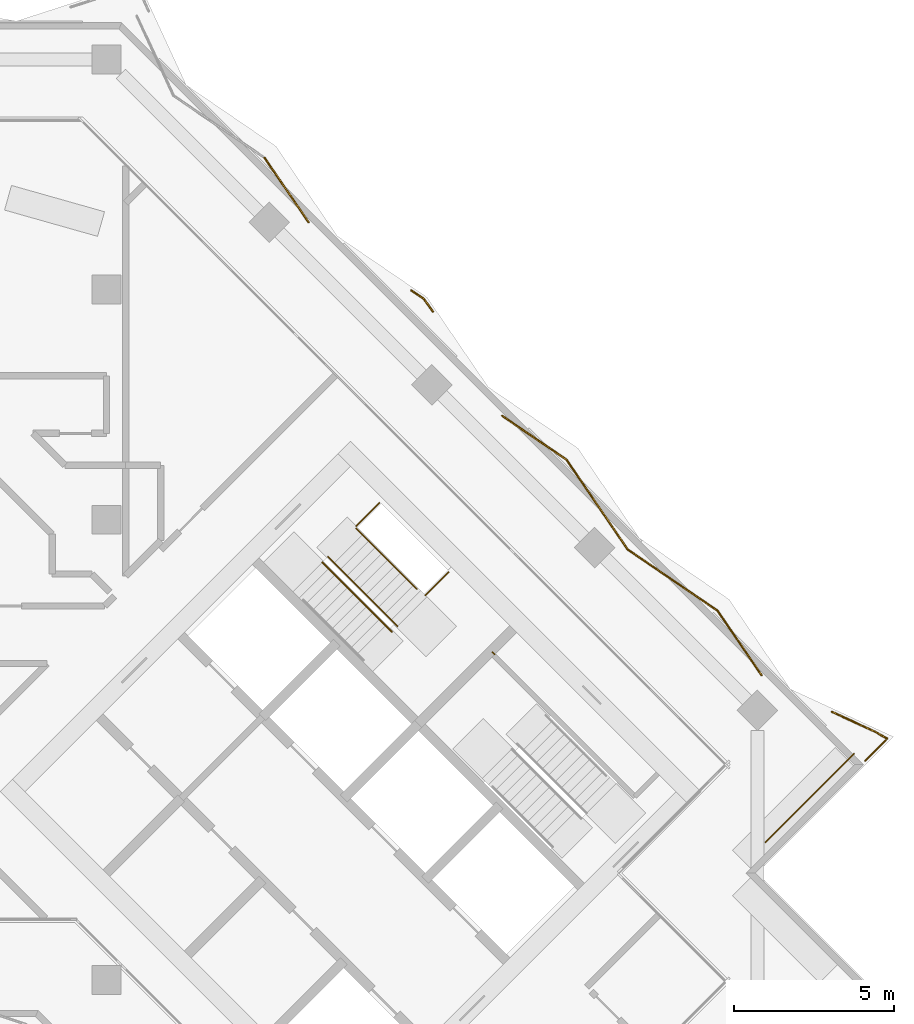
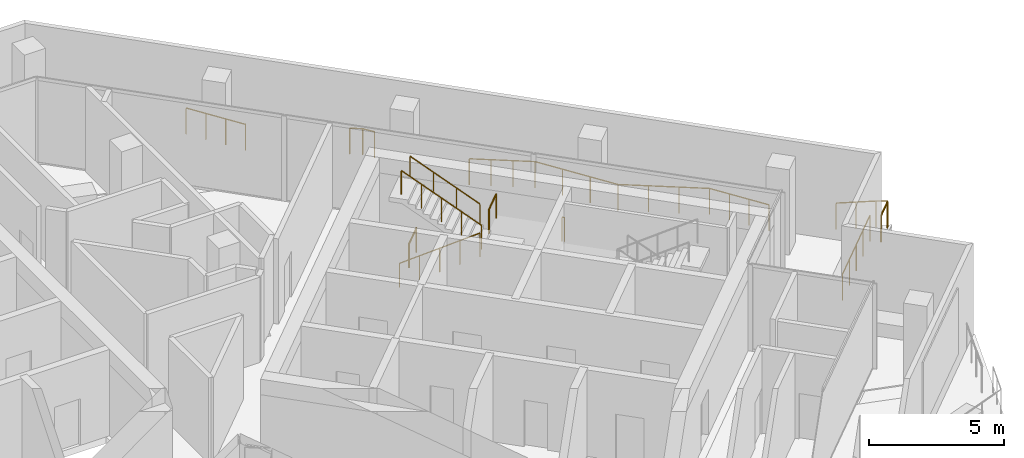
# One storey, part 19 of 19: 17 railings.
"""IFC4 building model written with IfcOpenShell, lengths in metres."""

from ifc_helpers import new_model, si_unit, direction, frame, origin, origin_2d, place, context, subcontext, project, spatial, circle, extrude, material, type_object, element, save


model = new_model("IFC4")

# Units and contexts
model_context = context("Model", 3, precision=1e-05, world=origin(), true_north=direction((0.0, 1.0)))
body_context = subcontext(model_context, "Body", "Model", "MODEL_VIEW")
ifc_project = project(units=[si_unit("LENGTHUNIT", "METRE"), si_unit("AREAUNIT", "SQUARE_METRE"), si_unit("VOLUMEUNIT", "CUBIC_METRE"), si_unit("PLANEANGLEUNIT", "RADIAN"), si_unit("MASSUNIT", "GRAM", prefix="KILO")], contexts=[model_context])

# Site, building, storey
site_placement = place(None, origin())
site = spatial("IfcSite", under=ifc_project, at=site_placement, CompositionType="ELEMENT")
building_placement = place(site_placement, origin())
building = spatial("IfcBuilding", under=site, at=building_placement, Name="Windrow Commons", CompositionType="ELEMENT")
storey_placement = place(building_placement, frame((0.0, 0.0, 176.2)))
storey = spatial("IfcBuildingStorey", under=building, at=storey_placement, Name="L48", CompositionType="ELEMENT", Elevation=176.2)

# Railings
ifc_material_1 = material(Name="Steel S355", Category="steel")
railing_type_1 = type_object("IfcRailingType", Name="Core stair guard 1100", PredefinedType="GUARDRAIL", material=ifc_material_1)
railing_1_placement = place(storey_placement, frame((85.9529, 56.2669, 0.175)))
element("IfcRailing", 1, at=railing_1_placement, inside=storey, type_object=railing_type_1, Name="L48 ST-B1 stair guard 1", PredefinedType="GUARDRAIL", context=body_context, shape_type="SweptSolid", body=[
    extrude(circle(Radius=0.024, at=origin_2d()), frame((0.0, 0.0, 1.076), z_axis=(0.5996262107, -0.5996262107, 0.5299969951), x_axis=(0.7071067812, 0.7071067812, 0.0)), (0.0, 0.0, 1.0), 3.6321),
    extrude(circle(Radius=0.021, at=origin_2d()), origin(), (0.0, 0.0, 1.0), 1.052),
    extrude(circle(Radius=0.021, at=origin_2d()), frame((0.5445, -0.5445, 0.4813)), (0.0, 0.0, 1.0), 1.052),
    extrude(circle(Radius=0.021, at=origin_2d()), frame((1.0889, -1.089, 0.9625)), (0.0, 0.0, 1.0), 1.052),
    extrude(circle(Radius=0.021, at=origin_2d()), frame((1.6334, -1.6334, 1.4438)), (0.0, 0.0, 1.0), 1.052),
    extrude(circle(Radius=0.021, at=origin_2d()), frame((2.1779, -2.1779, 1.925)), (0.0, 0.0, 1.0), 1.052),
])
railing_2_placement = place(storey_placement, frame((88.3075, 54.2658, 2.275)))
element("IfcRailing", 2, at=railing_2_placement, inside=storey, type_object=railing_type_1, Name="L48 ST-B1 stair guard 2", PredefinedType="GUARDRAIL", context=body_context, shape_type="SweptSolid", body=[
    extrude(circle(Radius=0.024, at=origin_2d()), frame((0.0, 0.0, 1.076), z_axis=(-0.5996262107, 0.5996262107, 0.5299969951), x_axis=(-0.7071067812, -0.7071067812, 0.0)), (0.0, 0.0, 1.0), 3.6321),
    extrude(circle(Radius=0.021, at=origin_2d()), origin(), (0.0, 0.0, 1.0), 1.052),
    extrude(circle(Radius=0.021, at=origin_2d()), frame((-0.5445, 0.5445, 0.4813)), (0.0, 0.0, 1.0), 1.052),
    extrude(circle(Radius=0.021, at=origin_2d()), frame((-1.089, 1.089, 0.9625)), (0.0, 0.0, 1.0), 1.052),
    extrude(circle(Radius=0.021, at=origin_2d()), frame((-1.6334, 1.6334, 1.4438)), (0.0, 0.0, 1.0), 1.052),
    extrude(circle(Radius=0.021, at=origin_2d()), frame((-2.1779, 2.1779, 1.925)), (0.0, 0.0, 1.0), 1.052),
])
railing_3_placement = place(storey_placement, frame((87.0135, 57.3982, 0.0)))
element("IfcRailing", 3, at=railing_3_placement, inside=storey, type_object=railing_type_1, Name="L48 ST-B1 stair guard 3", PredefinedType="GUARDRAIL", context=body_context, shape_type="SweptSolid", body=[
    extrude(circle(Radius=0.024, at=origin_2d()), frame((0.0, 0.0, 1.076), z_axis=(0.7070582378, 0.7071553212, 0.0), x_axis=(-0.7071553212, 0.7070582378, 0.0)), (0.0, 0.0, 1.0), 1.03),
    extrude(circle(Radius=0.021, at=origin_2d()), origin(), (0.0, 0.0, 1.0), 1.052),
    extrude(circle(Radius=0.021, at=origin_2d()), frame((0.7283, 0.7284, 0.0)), (0.0, 0.0, 1.0), 1.052),
])
railing_4_placement = place(storey_placement, frame((89.1773, 55.2345, 2.1)))
element("IfcRailing", 4, at=railing_4_placement, inside=storey, type_object=railing_type_1, Name="L48 ST-B1 stair guard 4", PredefinedType="GUARDRAIL", context=body_context, shape_type="SweptSolid", body=[
    extrude(circle(Radius=0.024, at=origin_2d()), frame((0.0, 0.0, 1.076), z_axis=(0.7071067812, 0.7071067812, 0.0), x_axis=(-0.7071067812, 0.7071067812, 0.0)), (0.0, 0.0, 1.0), 1.03),
    extrude(circle(Radius=0.021, at=origin_2d()), origin(), (0.0, 0.0, 1.0), 1.052),
    extrude(circle(Radius=0.021, at=origin_2d()), frame((0.7283, 0.7283, 0.0)), (0.0, 0.0, 1.0), 1.052),
])
railing_5_placement = place(storey_placement, frame((91.3446, 53.3854, 2.1)))
element("IfcRailing", 5, at=railing_5_placement, inside=storey, type_object=railing_type_1, Name="L48 ST-B2 stair guard 3", PredefinedType="GUARDRAIL", context=body_context, shape_type="SweptSolid", body=[
    extrude(circle(Radius=0.024, at=origin_2d()), frame((0.0, 0.0, 1.076), z_axis=(-0.7076063266, 0.7066068826, 0.0), x_axis=(-0.7066068826, -0.7076063266, 0.0)), (0.0, 0.0, 1.0), 0.1001),
    extrude(circle(Radius=0.021, at=origin_2d()), origin(), (0.0, 0.0, 1.0), 1.052),
    extrude(circle(Radius=0.021, at=origin_2d()), frame((-0.0708, 0.0707, 0.0)), (0.0, 0.0, 1.0), 1.052),
])
ifc_material_2 = material(Name="Steel S355", Category="steel")
railing_type_2 = type_object("IfcRailingType", Name="Core stair handrail 900", PredefinedType="HANDRAIL", material=ifc_material_2)
railing_6_placement = place(storey_placement, frame((88.9086, 55.4325, 2.525)))
element("IfcRailing", 6, at=railing_6_placement, inside=storey, type_object=railing_type_2, Name="L48 ST-B1 stair handrail 2", PredefinedType="HANDRAIL", context=body_context, shape_type="SweptSolid", body=[
    extrude(circle(Radius=0.024, at=origin_2d()), frame((0.0, 0.0, 0.876), z_axis=(-0.599641512, 0.5996098703, 0.5299981703), x_axis=(-0.7070881243, -0.7071254376, 0.0)), (0.0, 0.0, 1.0), 3.1604),
    extrude(circle(Radius=0.021, at=origin_2d()), origin(), (0.0, 0.0, 1.0), 0.852),
    extrude(circle(Radius=0.021, at=origin_2d()), frame((-0.6317, 0.6317, 0.5583)), (0.0, 0.0, 1.0), 0.852),
    extrude(circle(Radius=0.021, at=origin_2d()), frame((-1.2634, 1.2633, 1.1167)), (0.0, 0.0, 1.0), 0.852),
    extrude(circle(Radius=0.021, at=origin_2d()), frame((-1.8951, 1.895, 1.675)), (0.0, 0.0, 1.0), 0.852),
])
ifc_material_3 = material(Name="Stainless steel S316 balustrade with toughened glass infill", Category="steel")
railing_type_3 = type_object("IfcRailingType", Name="Terrace guard 1200 podium", PredefinedType="BALUSTRADE", material=ifc_material_3)
railing_7_placement = place(storey_placement, frame((84.1445, 68.9239, 0.05)))
element("IfcRailing", 7, at=railing_7_placement, inside=storey, type_object=railing_type_3, Name="Guard TR-L48-1.E30", PredefinedType="BALUSTRADE", context=body_context, shape_type="SweptSolid", body=[
    extrude(circle(Radius=0.025, at=origin_2d()), frame((0.0, 0.0, 1.175), z_axis=(0.5638553461, -0.825873567, 0.0), x_axis=(0.825873567, 0.5638553461, 0.0)), (0.0, 0.0, 1.0), 2.4411),
    extrude(circle(Radius=0.02, at=origin_2d()), origin(), (0.0, 0.0, 1.0), 1.15),
    extrude(circle(Radius=0.02, at=origin_2d()), frame((0.4588, -0.672, 0.0)), (0.0, 0.0, 1.0), 1.15),
    extrude(circle(Radius=0.02, at=origin_2d()), frame((0.9176, -1.344, 0.0)), (0.0, 0.0, 1.0), 1.15),
    extrude(circle(Radius=0.02, at=origin_2d()), frame((1.3764, -2.016, 0.0)), (0.0, 0.0, 1.0), 1.15),
])
railing_8_placement = place(storey_placement, frame((91.5785, 60.8503, 0.05)))
element("IfcRailing", 8, at=railing_8_placement, inside=storey, type_object=railing_type_3, Name="Guard TR-L48-1.E31", PredefinedType="BALUSTRADE", context=body_context, shape_type="SweptSolid", body=[
    extrude(circle(Radius=0.025, at=origin_2d()), frame((0.0, 0.0, 1.175), z_axis=(0.8258926437, -0.5638274036, 0.0), x_axis=(0.5638274036, 0.8258926437, 0.0)), (0.0, 0.0, 1.0), 2.441),
    extrude(circle(Radius=0.02, at=origin_2d()), origin(), (0.0, 0.0, 1.0), 1.15),
    extrude(circle(Radius=0.02, at=origin_2d()), frame((0.672, -0.4588, 0.0)), (0.0, 0.0, 1.0), 1.15),
    extrude(circle(Radius=0.02, at=origin_2d()), frame((1.344, -0.9175, 0.0)), (0.0, 0.0, 1.0), 1.15),
    extrude(circle(Radius=0.02, at=origin_2d()), frame((2.016, -1.3763, 0.0)), (0.0, 0.0, 1.0), 1.15),
])
railing_9_placement = place(storey_placement, frame((93.5945, 59.474, 0.05)))
element("IfcRailing", 9, at=railing_9_placement, inside=storey, type_object=railing_type_3, Name="Guard TR-L48-1.E32", PredefinedType="BALUSTRADE", context=body_context, shape_type="SweptSolid", body=[
    extrude(circle(Radius=0.025, at=origin_2d()), frame((0.0, 0.0, 1.175), z_axis=(0.5638295531, -0.8258911763, 0.0), x_axis=(0.8258911763, 0.5638295531, 0.0)), (0.0, 0.0, 1.0), 3.4),
    extrude(circle(Radius=0.02, at=origin_2d()), origin(), (0.0, 0.0, 1.0), 1.15),
    extrude(circle(Radius=0.02, at=origin_2d()), frame((0.639, -0.936, 0.0)), (0.0, 0.0, 1.0), 1.15),
    extrude(circle(Radius=0.02, at=origin_2d()), frame((1.278, -1.872, 0.0)), (0.0, 0.0, 1.0), 1.15),
    extrude(circle(Radius=0.02, at=origin_2d()), frame((1.917, -2.808, 0.0)), (0.0, 0.0, 1.0), 1.15),
])
railing_10_placement = place(storey_placement, frame((95.5115, 56.666, 0.05)))
element("IfcRailing", 10, at=railing_10_placement, inside=storey, type_object=railing_type_3, Name="Guard TR-L48-1.E33", PredefinedType="BALUSTRADE", context=body_context, shape_type="SweptSolid", body=[
    extrude(circle(Radius=0.025, at=origin_2d()), frame((0.0, 0.0, 1.175), z_axis=(0.8258911763, -0.5638295531, 0.0), x_axis=(0.5638295531, 0.8258911763, 0.0)), (0.0, 0.0, 1.0), 3.4),
    extrude(circle(Radius=0.02, at=origin_2d()), origin(), (0.0, 0.0, 1.0), 1.15),
    extrude(circle(Radius=0.02, at=origin_2d()), frame((0.936, -0.639, 0.0)), (0.0, 0.0, 1.0), 1.15),
    extrude(circle(Radius=0.02, at=origin_2d()), frame((1.872, -1.278, 0.0)), (0.0, 0.0, 1.0), 1.15),
    extrude(circle(Radius=0.02, at=origin_2d()), frame((2.808, -1.917, 0.0)), (0.0, 0.0, 1.0), 1.15),
])
railing_11_placement = place(storey_placement, frame((98.3195, 54.749, 0.05)))
element("IfcRailing", 11, at=railing_11_placement, inside=storey, type_object=railing_type_3, Name="Guard TR-L48-1.E34", PredefinedType="BALUSTRADE", context=body_context, shape_type="SweptSolid", body=[
    extrude(circle(Radius=0.025, at=origin_2d()), frame((0.0, 0.0, 1.175), z_axis=(0.5638389593, -0.8258847547, 0.0), x_axis=(0.8258847547, 0.5638389593, 0.0)), (0.0, 0.0, 1.0), 2.4404),
    extrude(circle(Radius=0.02, at=origin_2d()), origin(), (0.0, 0.0, 1.0), 1.15),
    extrude(circle(Radius=0.02, at=origin_2d()), frame((0.4587, -0.6718, 0.0)), (0.0, 0.0, 1.0), 1.15),
    extrude(circle(Radius=0.02, at=origin_2d()), frame((0.9173, -1.3437, 0.0)), (0.0, 0.0, 1.0), 1.15),
    extrude(circle(Radius=0.02, at=origin_2d()), frame((1.376, -2.0155, 0.0)), (0.0, 0.0, 1.0), 1.15),
])
railing_12_placement = place(storey_placement, frame((102.5913, 50.2779, 0.05)))
element("IfcRailing", 12, at=railing_12_placement, inside=storey, type_object=railing_type_3, Name="Guard TR-L48-1.E35", PredefinedType="BALUSTRADE", context=body_context, shape_type="SweptSolid", body=[
    extrude(circle(Radius=0.025, at=origin_2d()), frame((0.0, 0.0, 1.175), z_axis=(-0.7071067812, -0.7071067812, 0.0), x_axis=(0.7071067812, -0.7071067812, 0.0)), (0.0, 0.0, 1.0), 3.9155),
    extrude(circle(Radius=0.02, at=origin_2d()), origin(), (0.0, 0.0, 1.0), 1.15),
    extrude(circle(Radius=0.02, at=origin_2d()), frame((-0.6922, -0.6922, 0.0)), (0.0, 0.0, 1.0), 1.15),
    extrude(circle(Radius=0.02, at=origin_2d()), frame((-1.3844, -1.3844, 0.0)), (0.0, 0.0, 1.0), 1.15),
    extrude(circle(Radius=0.02, at=origin_2d()), frame((-2.0765, -2.0765, 0.0)), (0.0, 0.0, 1.0), 1.15),
    extrude(circle(Radius=0.02, at=origin_2d()), frame((-2.7687, -2.7687, 0.0)), (0.0, 0.0, 1.0), 1.15),
])
railing_13_placement = place(storey_placement, frame((101.8985, 51.5892, 0.05)))
element("IfcRailing", 13, at=railing_13_placement, inside=storey, type_object=railing_type_3, Name="Guard TR-L48-1.C169", PredefinedType="BALUSTRADE", context=body_context, shape_type="SweptSolid", body=[
    extrude(circle(Radius=0.025, at=origin_2d()), frame((0.0, 0.0, 1.175), z_axis=(0.9078428445, -0.4193105885, 0.0), x_axis=(0.4193105885, 0.9078428445, 0.0)), (0.0, 0.0, 1.0), 1.4822),
    extrude(circle(Radius=0.02, at=origin_2d()), origin(), (0.0, 0.0, 1.0), 1.15),
    extrude(circle(Radius=0.02, at=origin_2d()), frame((0.6728, -0.3107, 0.0)), (0.0, 0.0, 1.0), 1.15),
    extrude(circle(Radius=0.02, at=origin_2d()), frame((1.3456, -0.6215, 0.0)), (0.0, 0.0, 1.0), 1.15),
])
railing_14_placement = place(storey_placement, frame((103.2441, 50.9677, 0.05)))
element("IfcRailing", 14, at=railing_14_placement, inside=storey, type_object=railing_type_3, Name="Guard TR-L48-1.C170", PredefinedType="BALUSTRADE", context=body_context, shape_type="SweptSolid", body=[
    extrude(circle(Radius=0.025, at=origin_2d()), frame((0.0, 0.0, 1.175), z_axis=(0.8691051368, -0.4946273963, 0.0), x_axis=(0.4946273963, 0.8691051368, 0.0)), (0.0, 0.0, 1.0), 0.4419),
    extrude(circle(Radius=0.02, at=origin_2d()), origin(), (0.0, 0.0, 1.0), 1.15),
    extrude(circle(Radius=0.02, at=origin_2d()), frame((0.3841, -0.2186, 0.0)), (0.0, 0.0, 1.0), 1.15),
])
railing_15_placement = place(storey_placement, frame((103.5842, 50.7051, 0.05)))
element("IfcRailing", 15, at=railing_15_placement, inside=storey, type_object=railing_type_3, Name="Guard TR-L48-1.C171", PredefinedType="BALUSTRADE", context=body_context, shape_type="SweptSolid", body=[
    extrude(circle(Radius=0.025, at=origin_2d()), frame((0.0, 0.0, 1.175), z_axis=(-0.7071607774, -0.7070527809, 0.0), x_axis=(0.7070527809, -0.7071607774, 0.0)), (0.0, 0.0, 1.0), 0.926),
    extrude(circle(Radius=0.02, at=origin_2d()), origin(), (0.0, 0.0, 1.0), 1.15),
    extrude(circle(Radius=0.02, at=origin_2d()), frame((-0.6548, -0.6547, 0.0)), (0.0, 0.0, 1.0), 1.15),
])
railing_16_placement = place(storey_placement, frame((88.7381, 64.773, 0.05)))
element("IfcRailing", 16, at=railing_16_placement, inside=storey, type_object=railing_type_3, Name="Guard TR-L48-1.C172", PredefinedType="BALUSTRADE", context=body_context, shape_type="SweptSolid", body=[
    extrude(circle(Radius=0.025, at=origin_2d()), frame((0.0, 0.0, 1.175), z_axis=(0.8259590878, -0.5637300642, 0.0), x_axis=(0.5637300642, 0.8259590878, 0.0)), (0.0, 0.0, 1.0), 0.4813),
    extrude(circle(Radius=0.02, at=origin_2d()), origin(), (0.0, 0.0, 1.0), 1.15),
    extrude(circle(Radius=0.02, at=origin_2d()), frame((0.3975, -0.2713, 0.0)), (0.0, 0.0, 1.0), 1.15),
])
railing_17_placement = place(storey_placement, frame((89.1356, 64.5017, 0.05)))
element("IfcRailing", 17, at=railing_17_placement, inside=storey, type_object=railing_type_3, Name="Guard TR-L48-1.C173", PredefinedType="BALUSTRADE", context=body_context, shape_type="SweptSolid", body=[
    extrude(circle(Radius=0.025, at=origin_2d()), frame((0.0, 0.0, 1.175), z_axis=(0.5801728073, -0.8144934093, 0.0), x_axis=(0.8144934093, 0.5801728073, 0.0)), (0.0, 0.0, 1.0), 0.4797),
    extrude(circle(Radius=0.02, at=origin_2d()), origin(), (0.0, 0.0, 1.0), 1.15),
    extrude(circle(Radius=0.02, at=origin_2d()), frame((0.2783, -0.3907, 0.0)), (0.0, 0.0, 1.0), 1.15),
])

save(model, "model.ifc")
